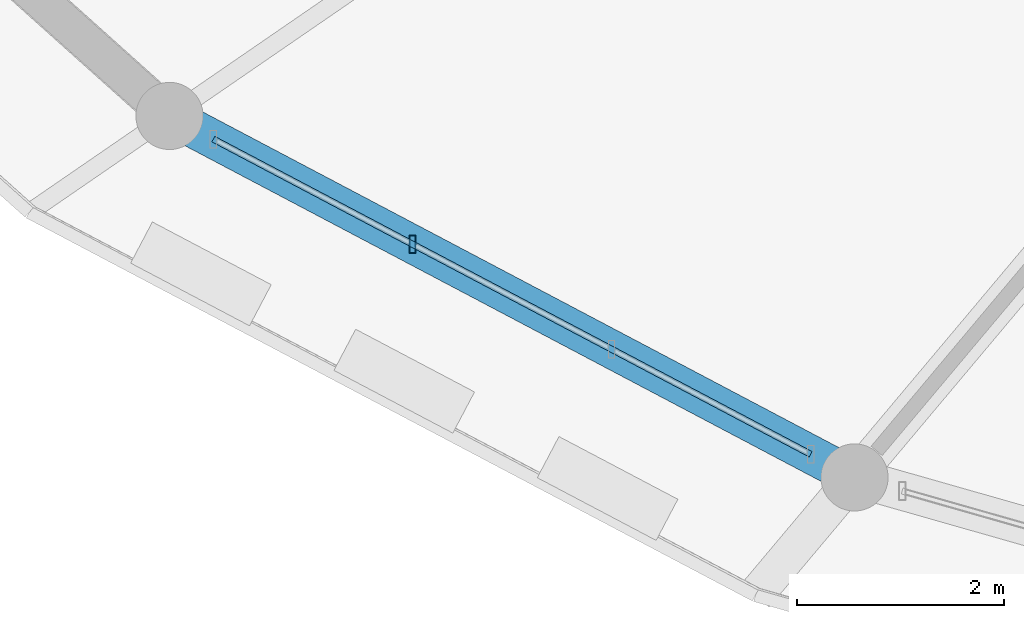
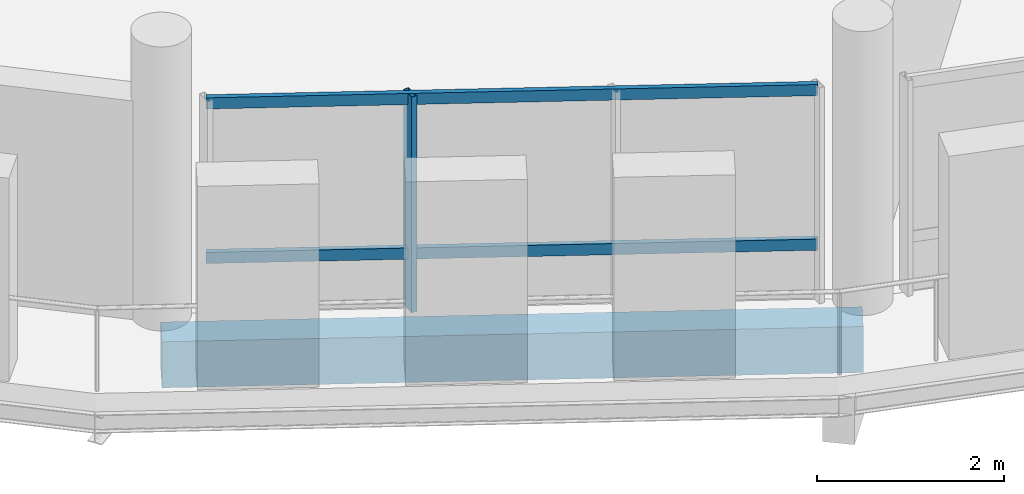
# One storey, part 24 of 84: 3 members, 1 beam, 1 element without a shape of its own.
"""IFC4 building model written with IfcOpenShell, lengths in metres."""

from ifc_helpers import new_model, si_unit, direction, frame, origin, origin_2d, place, context, subcontext, project, spatial, rectangle, hollow_rectangle, extrude, material, material_profile, profile_set, type_object, element, aggregate, save


model = new_model("IFC4")

# Units and contexts
model_context = context("Model", 3, precision=1e-05, world=origin(), true_north=direction((0.0, 1.0)))
body_context = subcontext(model_context, "Body", "Model", "MODEL_VIEW")
ifc_project = project(units=[si_unit("LENGTHUNIT", "METRE"), si_unit("AREAUNIT", "SQUARE_METRE"), si_unit("VOLUMEUNIT", "CUBIC_METRE"), si_unit("PLANEANGLEUNIT", "RADIAN"), si_unit("MASSUNIT", "GRAM", prefix="KILO")], contexts=[model_context])

# Site, building, storey
site_placement = place(None, origin())
site = spatial("IfcSite", under=ifc_project, at=site_placement, CompositionType="ELEMENT")
building_placement = place(site_placement, origin())
building = spatial("IfcBuilding", under=site, at=building_placement, Name="Zornivar Specialist Clinic", CompositionType="ELEMENT")
storey_placement = place(building_placement, frame((0.0, 0.0, 12.300048828125)))
storey = spatial("IfcBuildingStorey", under=building, at=storey_placement, Name="L03", CompositionType="ELEMENT", Elevation=12.300048828125)

# Beam
ifc_material_1 = material(Name="Concrete C30/37", Category="concrete")
ifc_material_profile_1 = material_profile(ifc_material_1, rectangle(XDim=0.3701171875, YDim=0.60009765625, at=origin_2d()), Name="RC 370x600")
ifc_profile_set_1 = profile_set([ifc_material_profile_1], Name="Concrete C30/37")
beam_type = type_object("IfcBeamType", Name="BM-RC-SPANDREL-370x600", PredefinedType="SPANDREL", material=ifc_profile_set_1)
beam_placement = place(storey_placement, frame((70.972900390625, 42.0439453125, -0.5400390625), z_axis=(0.88443219536, -0.466668717412, 0.0), x_axis=(0.466668717412, 0.88443219536, 0.0)))
element("IfcBeam", 1, at=beam_placement, inside=storey, type_object=beam_type, Name="bm:V1:L03:outring:15", PredefinedType="SPANDREL", context=body_context, shape_type="SweptSolid", body=[
    extrude(rectangle(XDim=0.3701171875, YDim=0.60009765625, at=origin_2d()), origin(), (0.0, 0.0, 1.0), 7.4931640625),
])

# Curtain wall, members
ifc_material_2 = material(Name="Aluminium and Low-E Glass Curtain Wall", Category="aluminium")
curtain_wall_type = type_object("IfcCurtainWallType", Name="CW-DRUM-FACET", PredefinedType="NOTDEFINED", material=ifc_material_2)
curtain_wall_placement = place(storey_placement, origin())
curtain_wall = element("IfcCurtainWall", 2, at=curtain_wall_placement, inside=storey, type_object=curtain_wall_type, Name="cw:V1:L03:c15", PredefinedType="NOTDEFINED")
ifc_material_3 = material(Name="Aluminium AW-6060", Category="aluminium")
ifc_material_profile_2 = material_profile(ifc_material_3, hollow_rectangle(XDim=0.06494140625, YDim=0.175048828125, WallThickness=0.00439453125, at=origin_2d()), Name="ALU 65x175x4.5")
ifc_profile_set_2 = profile_set([ifc_material_profile_2], Name="Aluminium AW-6060")
member_type_1 = type_object("IfcMemberType", Name="CWM-MUL-175", PredefinedType="MULLION", material=ifc_profile_set_2)
member_1_placement = place(storey_placement, frame((73.323974609375, 40.803955078125, 0.0), z_axis=(0.0, 0.0, 1.0), x_axis=(1.0, 0.0, 0.0)))
member_1 = element("IfcMember", 3, at=member_1_placement, type_object=member_type_1, Name="cw:V1:L03:c15:mul:1", PredefinedType="MULLION", context=body_context, shape_type="SweptSolid", body=[
    extrude(hollow_rectangle(XDim=0.06494140625, YDim=0.175048828125, WallThickness=0.00439453125, at=origin_2d()), origin(), (0.0, 0.0, 1.0), 2.81005859375),
])
ifc_material_4 = material(Name="Aluminium AW-6060", Category="aluminium")
ifc_material_profile_3 = material_profile(ifc_material_4, hollow_rectangle(XDim=0.06005859375, YDim=0.14501953125, WallThickness=0.00390625, at=origin_2d()), Name="ALU 60x145x4")
ifc_profile_set_3 = profile_set([ifc_material_profile_3], Name="Aluminium AW-6060")
member_type_2 = type_object("IfcMemberType", Name="CWM-TRN-145", PredefinedType="USERDEFINED", material=ifc_profile_set_3)
member_2_placement = place(storey_placement, frame((71.39697265625, 41.820068359375, 0.73095703125), z_axis=(0.884446868274, -0.466640908195, 0.0), x_axis=(0.466640908195, 0.884446868274, 0.0)))
member_2 = element("IfcMember", 4, at=member_2_placement, type_object=member_type_2, Name="cw:V1:L03:c15:trn:0", ObjectType="TRANSOM", PredefinedType="USERDEFINED", context=body_context, shape_type="SweptSolid", body=[
    extrude(hollow_rectangle(XDim=0.06005859375, YDim=0.14501953125, WallThickness=0.00390625, at=origin_2d()), origin(), (0.0, 0.0, 1.0), 6.5341796875),
])
member_3_placement = place(storey_placement, frame((71.39697265625, 41.820068359375, 2.744873046875), z_axis=(0.884446868274, -0.466640908195, 0.0), x_axis=(0.466640908195, 0.884446868274, 0.0)))
member_3 = element("IfcMember", 5, at=member_3_placement, type_object=member_type_2, Name="cw:V1:L03:c15:trn:1", ObjectType="TRANSOM", PredefinedType="USERDEFINED", context=body_context, shape_type="SweptSolid", body=[
    extrude(hollow_rectangle(XDim=0.06005859375, YDim=0.14501953125, WallThickness=0.00390625, at=origin_2d()), origin(), (0.0, 0.0, 1.0), 6.5341796875),
])
aggregate(curtain_wall, [member_1, member_2, member_3])

save(model, "model.ifc")
